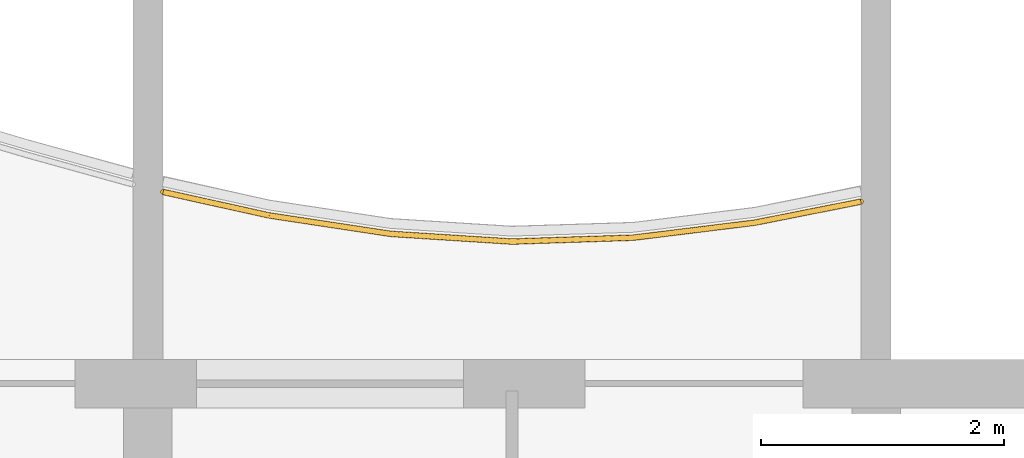
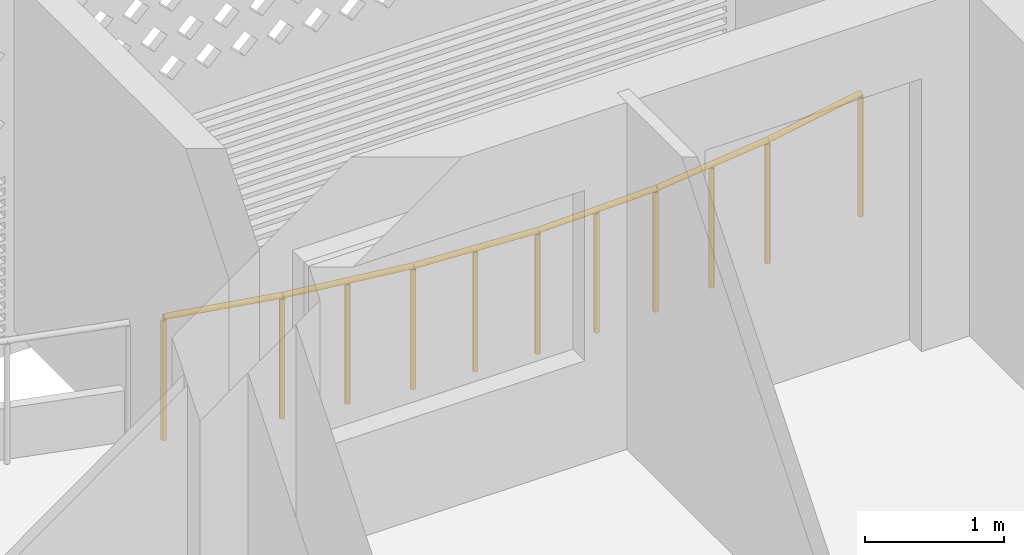
# One storey, part 39 of 40: 1 railing.
"""IFC4 building model written with IfcOpenShell, lengths in metres."""

import ifcopenshell
import ifcopenshell.guid

model = None  # the IFC model being written
_history = None  # IfcOwnerHistory: only IFC2X3 demands one
_inside = {}  # id of a spatial element -> (the spatial element, [elements in it])
_under = {}  # id of a project, library or spatial element -> (it, [spatial elements below it])
_declared = {}  # id of a project -> (the project, [libraries it declares])
_typed = {}  # id of a type object -> (the type object, [elements of that type])
_made_of = {}  # id of a material, layer set ... -> (it, [elements and type objects made of it])


def new_model(schema):
    """Start an empty IFC model of exactly this schema.

    Asked for "IFC4X3", IfcOpenShell would pick the latest addendum, in which some entities
    have other attributes; the version numbers below select the first issue.
    IFC2X3 requires an IfcOwnerHistory on every rooted entity: one is made here for all.
    """
    global model, _history
    if schema == "IFC4X3":
        model = ifcopenshell.file(schema_version=(4, 3, 0, 0))
    else:
        model = ifcopenshell.file(schema=schema)
    _inside.clear()
    _under.clear()
    _declared.clear()
    _typed.clear()
    _made_of.clear()
    _history = None
    if model.schema == "IFC2X3":
        org = make("IfcOrganization", Name="unknown")
        user = make(
            "IfcPersonAndOrganization",
            ThePerson=make("IfcPerson", FamilyName="unknown"),
            TheOrganization=org,
        )
        app = make(
            "IfcApplication",
            ApplicationDeveloper=org,
            Version="unknown",
            ApplicationFullName="unknown",
            ApplicationIdentifier="unknown",
        )
        _history = make(
            "IfcOwnerHistory",
            OwningUser=user,
            OwningApplication=app,
            ChangeAction="ADDED",
            CreationDate=0,
        )
    return model


def make(cls, **values):
    """One entity of the class cls with the attributes given. An attribute that is None is left unset."""
    return model.create_entity(
        cls, **{name: value for name, value in values.items() if value is not None}
    )


def rooted(cls, **values):
    """An entity with a GlobalId (a new one), such as an element, a storey or a relation."""
    return make(cls, GlobalId=ifcopenshell.guid.new(), OwnerHistory=_history, **values)


def si_unit(unit_type, name, prefix=None):
    """IfcSIUnit, for example si_unit("LENGTHUNIT", "METRE", prefix="MILLI")."""
    return make("IfcSIUnit", UnitType=unit_type, Prefix=prefix, Name=name)


def assignment(units):
    """IfcUnitAssignment: the units of a project."""
    return None if units is None else make("IfcUnitAssignment", Units=units)


def point(xyz):
    """IfcCartesianPoint."""
    return None if xyz is None else make("IfcCartesianPoint", Coordinates=xyz)


def direction(xyz):
    """IfcDirection."""
    return None if xyz is None else make("IfcDirection", DirectionRatios=xyz)


def frame(location, z_axis=None, x_axis=None):
    """IfcAxis2Placement3D, a coordinate frame: its origin and axes. An axis left out is left unset."""
    return make(
        "IfcAxis2Placement3D",
        Location=point(location),
        Axis=direction(z_axis),
        RefDirection=direction(x_axis),
    )


def frame_2d(location, x_axis=None):
    """IfcAxis2Placement2D, a coordinate frame in the plane: its origin and x axis."""
    return make(
        "IfcAxis2Placement2D", Location=point(location), RefDirection=direction(x_axis)
    )


def origin():
    """The frame at (0, 0, 0) with its axes left unset."""
    return frame((0.0, 0.0, 0.0))


def origin_2d():
    """The frame at (0, 0) in the plane with its x axis left unset."""
    return frame_2d((0.0, 0.0))


def place(relative_to, where):
    """IfcLocalPlacement: puts the frame where relative to a parent placement (None: the world)."""
    return make(
        "IfcLocalPlacement", PlacementRelTo=relative_to, RelativePlacement=where
    )


def context(
    kind, dimensions, precision=None, world=None, true_north=None, identifier=None
):
    """IfcGeometricRepresentationContext, for example the 3D "Model" context."""
    return make(
        "IfcGeometricRepresentationContext",
        ContextIdentifier=identifier,
        ContextType=kind,
        CoordinateSpaceDimension=dimensions,
        Precision=precision,
        WorldCoordinateSystem=world,
        TrueNorth=true_north,
    )


def subcontext(parent, identifier, kind, view, scale=None):
    """IfcGeometricRepresentationSubContext, for example "Body" below "Model"."""
    return make(
        "IfcGeometricRepresentationSubContext",
        ContextIdentifier=identifier,
        ContextType=kind,
        ParentContext=parent,
        TargetScale=scale,
        TargetView=view,
    )


def project(units=None, contexts=None):
    """IfcProject with its units and contexts."""
    return rooted(
        "IfcProject",
        Name="project",
        RepresentationContexts=contexts,
        UnitsInContext=assignment(units),
    )


def spatial(cls, under=None, at=None, **own):
    """A site, building, storey or space (cls), placed at a placement, below another one or the project."""
    s = rooted(cls, ObjectPlacement=at, **own)
    if under is not None:
        _under.setdefault(under.id(), (under, []))[1].append(s)
    return s


def profile(cls, at=None, kind="AREA", **sizes):
    """A parametric profile (cls). Its sizes go by their IFC names, for example OverallWidth=200.0."""
    return make(cls, ProfileType=kind, Position=at, **sizes)


def circle(**sizes):
    """IfcCircleProfileDef."""
    return profile("IfcCircleProfileDef", **sizes)


def extrude(swept, where, along, depth):
    """IfcExtrudedAreaSolid: the profile swept, set in the frame where, extruded along a direction by depth."""
    return make(
        "IfcExtrudedAreaSolid",
        SweptArea=swept,
        Position=where,
        ExtrudedDirection=direction(along),
        Depth=depth,
    )


def shape(context_of_items, identifier, shape_type, items):
    """IfcShapeRepresentation: the items that make up one representation, for example the "Body"."""
    return make(
        "IfcShapeRepresentation",
        ContextOfItems=context_of_items,
        RepresentationIdentifier=identifier,
        RepresentationType=shape_type,
        Items=items,
    )


def material(Name=None, Category=None):
    """IfcMaterial."""
    return make("IfcMaterial", Name=Name, Category=Category)


def made_of(thing, what):
    """Note that an element or type object is made of a material, layer set ...; save() writes the relation."""
    if what is not None:
        _made_of.setdefault(what.id(), (what, []))[1].append(thing)
    return thing


def type_object(cls, material=None, **own):
    """A type object (cls), such as IfcWallType, which elements share."""
    return made_of(rooted(cls, **own), material)


def element(
    cls,
    number,
    at=None,
    inside=None,
    cuts=None,
    type_object=None,
    material=None,
    context=None,
    identifier="Body",
    shape_type=None,
    held_by="IfcProductDefinitionShape",
    body=None,
    shapes=None,
    **own,
):
    """One element of the class cls, such as IfcWall. Its Tag is "e" and its number.

    at: its placement. inside: the storey or other place that contains it. cuts: it is an
    opening in that element (IfcRelVoidsElement). A single representation is given by context,
    identifier, shape_type and body (its items); several are given by shapes. held_by: the class
    of the entity that holds the representations. save() writes the other relations.
    """
    e = rooted(cls, Tag="e%d" % number, ObjectPlacement=at, **own)
    if body is not None:
        shapes = [shape(context, identifier, shape_type, body)]
    if shapes is not None:
        e.Representation = make(held_by, Representations=shapes)
    if inside is not None:
        _inside.setdefault(inside.id(), (inside, []))[1].append(e)
    if cuts is not None:
        rooted(
            "IfcRelVoidsElement", RelatingBuildingElement=cuts, RelatedOpeningElement=e
        )
    if type_object is not None:
        _typed.setdefault(type_object.id(), (type_object, []))[1].append(e)
    return made_of(e, material)


def aggregate(whole, parts):
    """IfcRelAggregates: a whole, such as a stair, and the parts it consists of."""
    return rooted("IfcRelAggregates", RelatingObject=whole, RelatedObjects=parts)


def save(model, path):
    """Write the relations noted so far, then the file.

    IfcRelAggregates (storeys below a building ...), IfcRelContainedInSpatialStructure (elements
    in a storey), IfcRelDefinesByType, IfcRelAssociatesMaterial and IfcRelDeclares: one each for
    every whole, place, type object, material and project.
    """
    for whole, parts in _under.values():
        aggregate(whole, parts)
    for where, things in _inside.values():
        rooted(
            "IfcRelContainedInSpatialStructure",
            RelatedElements=things,
            RelatingStructure=where,
        )
    for kind, things in _typed.values():
        rooted("IfcRelDefinesByType", RelatedObjects=things, RelatingType=kind)
    for what, things in _made_of.values():
        rooted("IfcRelAssociatesMaterial", RelatedObjects=things, RelatingMaterial=what)
    for by, libraries in _declared.values():
        rooted("IfcRelDeclares", RelatingContext=by, RelatedDefinitions=libraries)
    model.write(path)


model = new_model("IFC4")

# Units and contexts
model_context = context("Model", 3, precision=1e-05, world=origin(), true_north=direction((0.0, 1.0)))
body_context = subcontext(model_context, "Body", "Model", "MODEL_VIEW")
ifc_project = project(units=[si_unit("LENGTHUNIT", "METRE"), si_unit("AREAUNIT", "SQUARE_METRE"), si_unit("VOLUMEUNIT", "CUBIC_METRE"), si_unit("PLANEANGLEUNIT", "RADIAN"), si_unit("MASSUNIT", "GRAM", prefix="KILO")], contexts=[model_context])

# Site, building, storey
site_placement = place(None, origin())
site = spatial("IfcSite", under=ifc_project, at=site_placement, CompositionType="ELEMENT")
building_placement = place(site_placement, origin())
building = spatial("IfcBuilding", under=site, at=building_placement, Name="Poui Terraces", CompositionType="ELEMENT")
storey_placement = place(building_placement, frame((0.0, 0.0, 39.89990234375)))
storey = spatial("IfcBuildingStorey", under=building, at=storey_placement, Name="L10", CompositionType="ELEMENT", Elevation=39.89990234375)

# Railing
ifc_material = material(Name="Painted steel fretwork", Category="steel")
railing_type = type_object("IfcRailingType", Name="BALCONY GUARD 1100", PredefinedType="GUARDRAIL", material=ifc_material)
railing_placement = place(storey_placement, frame((90.125, 46.3798828125, 0.0)))
element("IfcRailing", 1, at=railing_placement, inside=storey, type_object=railing_type, Name="BALCONY GUARD", PredefinedType="GUARDRAIL", context=body_context, shape_type="SweptSolid", body=[
    extrude(circle(Radius=0.02392578125, at=origin_2d()), frame((0.0, 0.0, 1.076171875), z_axis=(0.97638536351, -0.216036158835, 0.0), x_axis=(0.216036158835, 0.97638536351, 0.0)), (0.0, 0.0, 1.0), 0.896240234375),
    extrude(circle(Radius=0.02392578125, at=origin_2d()), frame((0.875, -0.193603515625, 1.076171875), z_axis=(0.988701415616, -0.149898334741, 0.0), x_axis=(0.149898334741, 0.988701415616, 0.0)), (0.0, 0.0, 1.0), 1.011474609375),
    extrude(circle(Radius=0.02392578125, at=origin_2d()), frame((1.875, -0.34521484375, 1.076171875), z_axis=(0.997991430779, -0.06334906543, 0.0), x_axis=(0.06334906543, 0.997991430779, 0.0)), (0.0, 0.0, 1.0), 1.001953125),
    extrude(circle(Radius=0.02392578125, at=origin_2d()), frame((2.875, -0.40869140625, 1.076171875), z_axis=(0.999488954364, 0.031966077398, 0.0), x_axis=(-0.031966077398, 0.999488954364, 0.0)), (0.0, 0.0, 1.0), 1.00048828125),
    extrude(circle(Radius=0.02392578125, at=origin_2d()), frame((3.875, -0.376708984375, 1.076171875), z_axis=(0.992455772574, 0.122603178936, 0.0), x_axis=(-0.122603178936, 0.992455772574, 0.0)), (0.0, 0.0, 1.0), 1.007568359375),
    extrude(circle(Radius=0.02392578125, at=origin_2d()), frame((4.875, -0.253173828125, 1.076171875), z_axis=(0.980884751127, 0.19458958093, 0.0), x_axis=(-0.19458958093, 0.980884751127, 0.0)), (0.0, 0.0, 1.0), 0.89208984375),
    extrude(circle(Radius=0.02099609375, at=origin_2d()), origin(), (0.0, 0.0, 1.0), 1.052001953125),
    extrude(circle(Radius=0.02099609375, at=origin_2d()), frame((0.875, -0.193603515625, 0.0)), (0.0, 0.0, 1.0), 1.052001953125),
    extrude(circle(Radius=0.02099609375, at=origin_2d()), frame((1.375, -0.26953125, 0.0)), (0.0, 0.0, 1.0), 1.052001953125),
    extrude(circle(Radius=0.02099609375, at=origin_2d()), frame((1.875, -0.34521484375, 0.0)), (0.0, 0.0, 1.0), 1.052001953125),
    extrude(circle(Radius=0.02099609375, at=origin_2d()), frame((2.375, -0.376953125, 0.0)), (0.0, 0.0, 1.0), 1.052001953125),
    extrude(circle(Radius=0.02099609375, at=origin_2d()), frame((2.875, -0.40869140625, 0.0)), (0.0, 0.0, 1.0), 1.052001953125),
    extrude(circle(Radius=0.02099609375, at=origin_2d()), frame((3.375, -0.392578125, 0.0)), (0.0, 0.0, 1.0), 1.052001953125),
    extrude(circle(Radius=0.02099609375, at=origin_2d()), frame((3.875, -0.376708984375, 0.0)), (0.0, 0.0, 1.0), 1.052001953125),
    extrude(circle(Radius=0.02099609375, at=origin_2d()), frame((4.375, -0.31494140625, 0.0)), (0.0, 0.0, 1.0), 1.052001953125),
    extrude(circle(Radius=0.02099609375, at=origin_2d()), frame((4.875, -0.253173828125, 0.0)), (0.0, 0.0, 1.0), 1.052001953125),
    extrude(circle(Radius=0.02099609375, at=origin_2d()), frame((5.75, -0.07958984375, 0.0)), (0.0, 0.0, 1.0), 1.052001953125),
])

save(model, "model.ifc")
